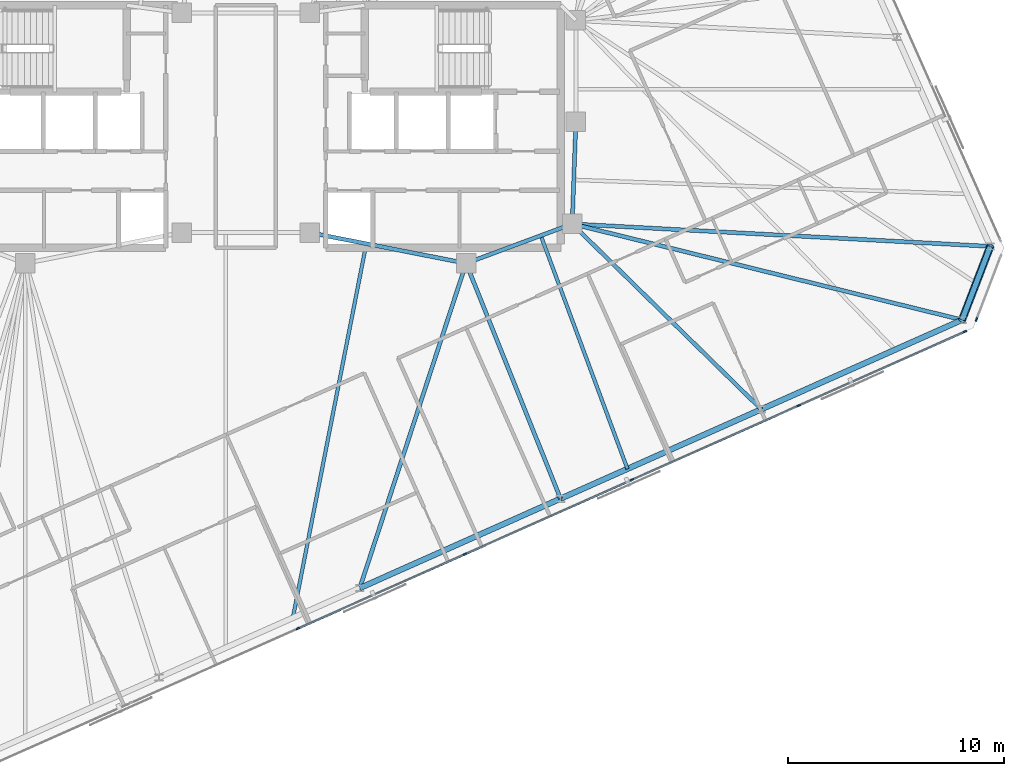
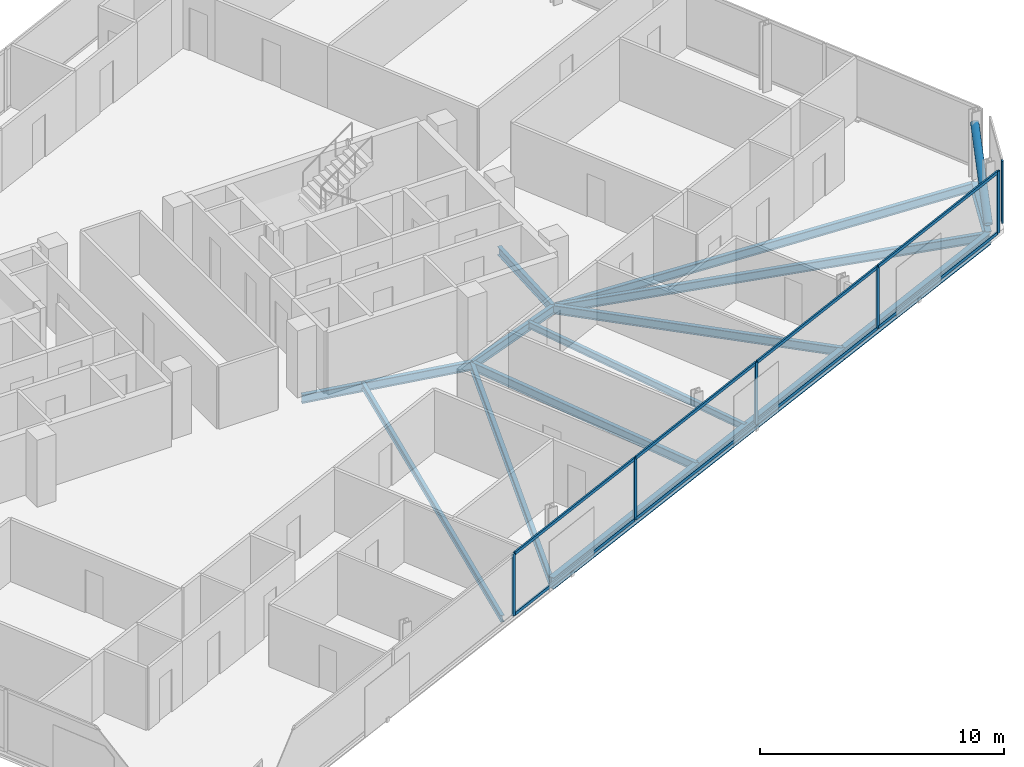
# One storey, part 7 of 18: 15 members, 14 beams, 2 elements without a shape of their own.
"""IFC4 building model written with IfcOpenShell, lengths in metres."""

import ifcopenshell
import ifcopenshell.guid

model = None  # the IFC model being written
_history = None  # IfcOwnerHistory: only IFC2X3 demands one
_inside = {}  # id of a spatial element -> (the spatial element, [elements in it])
_under = {}  # id of a project, library or spatial element -> (it, [spatial elements below it])
_declared = {}  # id of a project -> (the project, [libraries it declares])
_typed = {}  # id of a type object -> (the type object, [elements of that type])
_made_of = {}  # id of a material, layer set ... -> (it, [elements and type objects made of it])


def new_model(schema):
    """Start an empty IFC model of exactly this schema.

    Asked for "IFC4X3", IfcOpenShell would pick the latest addendum, in which some entities
    have other attributes; the version numbers below select the first issue.
    IFC2X3 requires an IfcOwnerHistory on every rooted entity: one is made here for all.
    """
    global model, _history
    if schema == "IFC4X3":
        model = ifcopenshell.file(schema_version=(4, 3, 0, 0))
    else:
        model = ifcopenshell.file(schema=schema)
    _inside.clear()
    _under.clear()
    _declared.clear()
    _typed.clear()
    _made_of.clear()
    _history = None
    if model.schema == "IFC2X3":
        org = make("IfcOrganization", Name="unknown")
        user = make(
            "IfcPersonAndOrganization",
            ThePerson=make("IfcPerson", FamilyName="unknown"),
            TheOrganization=org,
        )
        app = make(
            "IfcApplication",
            ApplicationDeveloper=org,
            Version="unknown",
            ApplicationFullName="unknown",
            ApplicationIdentifier="unknown",
        )
        _history = make(
            "IfcOwnerHistory",
            OwningUser=user,
            OwningApplication=app,
            ChangeAction="ADDED",
            CreationDate=0,
        )
    return model


def make(cls, **values):
    """One entity of the class cls with the attributes given. An attribute that is None is left unset."""
    return model.create_entity(
        cls, **{name: value for name, value in values.items() if value is not None}
    )


def rooted(cls, **values):
    """An entity with a GlobalId (a new one), such as an element, a storey or a relation."""
    return make(cls, GlobalId=ifcopenshell.guid.new(), OwnerHistory=_history, **values)


def si_unit(unit_type, name, prefix=None):
    """IfcSIUnit, for example si_unit("LENGTHUNIT", "METRE", prefix="MILLI")."""
    return make("IfcSIUnit", UnitType=unit_type, Prefix=prefix, Name=name)


def assignment(units):
    """IfcUnitAssignment: the units of a project."""
    return None if units is None else make("IfcUnitAssignment", Units=units)


def point(xyz):
    """IfcCartesianPoint."""
    return None if xyz is None else make("IfcCartesianPoint", Coordinates=xyz)


def direction(xyz):
    """IfcDirection."""
    return None if xyz is None else make("IfcDirection", DirectionRatios=xyz)


def frame(location, z_axis=None, x_axis=None):
    """IfcAxis2Placement3D, a coordinate frame: its origin and axes. An axis left out is left unset."""
    return make(
        "IfcAxis2Placement3D",
        Location=point(location),
        Axis=direction(z_axis),
        RefDirection=direction(x_axis),
    )


def frame_2d(location, x_axis=None):
    """IfcAxis2Placement2D, a coordinate frame in the plane: its origin and x axis."""
    return make(
        "IfcAxis2Placement2D", Location=point(location), RefDirection=direction(x_axis)
    )


def origin():
    """The frame at (0, 0, 0) with its axes left unset."""
    return frame((0.0, 0.0, 0.0))


def origin_2d():
    """The frame at (0, 0) in the plane with its x axis left unset."""
    return frame_2d((0.0, 0.0))


def place(relative_to, where):
    """IfcLocalPlacement: puts the frame where relative to a parent placement (None: the world)."""
    return make(
        "IfcLocalPlacement", PlacementRelTo=relative_to, RelativePlacement=where
    )


def context(
    kind, dimensions, precision=None, world=None, true_north=None, identifier=None
):
    """IfcGeometricRepresentationContext, for example the 3D "Model" context."""
    return make(
        "IfcGeometricRepresentationContext",
        ContextIdentifier=identifier,
        ContextType=kind,
        CoordinateSpaceDimension=dimensions,
        Precision=precision,
        WorldCoordinateSystem=world,
        TrueNorth=true_north,
    )


def subcontext(parent, identifier, kind, view, scale=None):
    """IfcGeometricRepresentationSubContext, for example "Body" below "Model"."""
    return make(
        "IfcGeometricRepresentationSubContext",
        ContextIdentifier=identifier,
        ContextType=kind,
        ParentContext=parent,
        TargetScale=scale,
        TargetView=view,
    )


def project(units=None, contexts=None):
    """IfcProject with its units and contexts."""
    return rooted(
        "IfcProject",
        Name="project",
        RepresentationContexts=contexts,
        UnitsInContext=assignment(units),
    )


def spatial(cls, under=None, at=None, **own):
    """A site, building, storey or space (cls), placed at a placement, below another one or the project."""
    s = rooted(cls, ObjectPlacement=at, **own)
    if under is not None:
        _under.setdefault(under.id(), (under, []))[1].append(s)
    return s


def profile(cls, at=None, kind="AREA", **sizes):
    """A parametric profile (cls). Its sizes go by their IFC names, for example OverallWidth=200.0."""
    return make(cls, ProfileType=kind, Position=at, **sizes)


def rectangle(**sizes):
    """IfcRectangleProfileDef."""
    return profile("IfcRectangleProfileDef", **sizes)


def hollow_circle(**sizes):
    """IfcCircleHollowProfileDef."""
    return profile("IfcCircleHollowProfileDef", **sizes)


def i_section(**sizes):
    """IfcIShapeProfileDef."""
    return profile("IfcIShapeProfileDef", **sizes)


def extrude(swept, where, along, depth):
    """IfcExtrudedAreaSolid: the profile swept, set in the frame where, extruded along a direction by depth."""
    return make(
        "IfcExtrudedAreaSolid",
        SweptArea=swept,
        Position=where,
        ExtrudedDirection=direction(along),
        Depth=depth,
    )


def shape(context_of_items, identifier, shape_type, items):
    """IfcShapeRepresentation: the items that make up one representation, for example the "Body"."""
    return make(
        "IfcShapeRepresentation",
        ContextOfItems=context_of_items,
        RepresentationIdentifier=identifier,
        RepresentationType=shape_type,
        Items=items,
    )


def material(Name=None, Category=None):
    """IfcMaterial."""
    return make("IfcMaterial", Name=Name, Category=Category)


def material_profile(
    of_material, cross_section, Name=None, Category=None, Priority=None
):
    """IfcMaterialProfile: a cross section and its material."""
    return make(
        "IfcMaterialProfile",
        Name=Name,
        Material=of_material,
        Profile=cross_section,
        Priority=Priority,
        Category=Category,
    )


def profile_set(profiles, Name=None, composite=None):
    """IfcMaterialProfileSet."""
    return make(
        "IfcMaterialProfileSet",
        Name=Name,
        MaterialProfiles=profiles,
        CompositeProfile=composite,
    )


def made_of(thing, what):
    """Note that an element or type object is made of a material, layer set ...; save() writes the relation."""
    if what is not None:
        _made_of.setdefault(what.id(), (what, []))[1].append(thing)
    return thing


def type_object(cls, material=None, **own):
    """A type object (cls), such as IfcWallType, which elements share."""
    return made_of(rooted(cls, **own), material)


def element(
    cls,
    number,
    at=None,
    inside=None,
    cuts=None,
    type_object=None,
    material=None,
    context=None,
    identifier="Body",
    shape_type=None,
    held_by="IfcProductDefinitionShape",
    body=None,
    shapes=None,
    **own,
):
    """One element of the class cls, such as IfcWall. Its Tag is "e" and its number.

    at: its placement. inside: the storey or other place that contains it. cuts: it is an
    opening in that element (IfcRelVoidsElement). A single representation is given by context,
    identifier, shape_type and body (its items); several are given by shapes. held_by: the class
    of the entity that holds the representations. save() writes the other relations.
    """
    e = rooted(cls, Tag="e%d" % number, ObjectPlacement=at, **own)
    if body is not None:
        shapes = [shape(context, identifier, shape_type, body)]
    if shapes is not None:
        e.Representation = make(held_by, Representations=shapes)
    if inside is not None:
        _inside.setdefault(inside.id(), (inside, []))[1].append(e)
    if cuts is not None:
        rooted(
            "IfcRelVoidsElement", RelatingBuildingElement=cuts, RelatedOpeningElement=e
        )
    if type_object is not None:
        _typed.setdefault(type_object.id(), (type_object, []))[1].append(e)
    return made_of(e, material)


def aggregate(whole, parts):
    """IfcRelAggregates: a whole, such as a stair, and the parts it consists of."""
    return rooted("IfcRelAggregates", RelatingObject=whole, RelatedObjects=parts)


def save(model, path):
    """Write the relations noted so far, then the file.

    IfcRelAggregates (storeys below a building ...), IfcRelContainedInSpatialStructure (elements
    in a storey), IfcRelDefinesByType, IfcRelAssociatesMaterial and IfcRelDeclares: one each for
    every whole, place, type object, material and project.
    """
    for whole, parts in _under.values():
        aggregate(whole, parts)
    for where, things in _inside.values():
        rooted(
            "IfcRelContainedInSpatialStructure",
            RelatedElements=things,
            RelatingStructure=where,
        )
    for kind, things in _typed.values():
        rooted("IfcRelDefinesByType", RelatedObjects=things, RelatingType=kind)
    for what, things in _made_of.values():
        rooted("IfcRelAssociatesMaterial", RelatedObjects=things, RelatingMaterial=what)
    for by, libraries in _declared.values():
        rooted("IfcRelDeclares", RelatingContext=by, RelatedDefinitions=libraries)
    model.write(path)


model = new_model("IFC4")

# Units and contexts
model_context = context("Model", 3, precision=1e-05, world=origin(), true_north=direction((0.0, 1.0)))
body_context = subcontext(model_context, "Body", "Model", "MODEL_VIEW")
ifc_project = project(units=[si_unit("LENGTHUNIT", "METRE"), si_unit("AREAUNIT", "SQUARE_METRE"), si_unit("VOLUMEUNIT", "CUBIC_METRE"), si_unit("PLANEANGLEUNIT", "RADIAN"), si_unit("MASSUNIT", "GRAM", prefix="KILO")], contexts=[model_context])

# Site, building, storey
site_placement = place(None, origin())
site = spatial("IfcSite", under=ifc_project, at=site_placement, CompositionType="ELEMENT")
building_placement = place(site_placement, origin())
building = spatial("IfcBuilding", under=site, at=building_placement, Name="Menara Jurai Vektor", CompositionType="ELEMENT")
storey_placement = place(building_placement, frame((0.0, 0.0, 272.25)))
storey = spatial("IfcBuildingStorey", under=building, at=storey_placement, Name="L73", CompositionType="ELEMENT", Elevation=272.25)

# Curtain wall, members
ifc_material_1 = material(Name="Anodised Pale Aluminium & Low-E Double Glazing", Category="aluminium")
curtain_wall_type = type_object("IfcCurtainWallType", Name="CW-BLK5", PredefinedType="NOTDEFINED", material=ifc_material_1)
curtain_wall_1_placement = place(storey_placement, origin())
curtain_wall_1 = element("IfcCurtainWall", 1, at=curtain_wall_1_placement, inside=storey, type_object=curtain_wall_type, Name="Unitised Curtain Wall L73 F01", PredefinedType="NOTDEFINED")
ifc_material_2 = material(Name="Anodised Pale Aluminium Mullion", Category="aluminium")
ifc_material_profile_1 = material_profile(ifc_material_2, rectangle(XDim=0.074951171875, YDim=0.175048828125, at=origin_2d()), Name="ALU MUL 75x175")
ifc_profile_set_1 = profile_set([ifc_material_profile_1], Name="Anodised Pale Aluminium Mullion")
member_type_1 = type_object("IfcMemberType", Name="CW-BLK5-MUL", PredefinedType="MULLION", material=ifc_profile_set_1)
member_1_placement = place(storey_placement, frame((2.417724609375, -23.190185546875, 0.0), z_axis=(0.0, 0.0, 1.0), x_axis=(-0.406735498684, 0.913545967158, 0.0)))
member_1 = element("IfcMember", 2, at=member_1_placement, type_object=member_type_1, Name="CW-05 mullion 3", PredefinedType="MULLION", context=body_context, shape_type="SweptSolid", body=[
    extrude(rectangle(XDim=0.074951171875, YDim=0.175048828125, at=origin_2d()), origin(), (0.0, 0.0, 1.0), 3.10009765625),
])
member_2_placement = place(storey_placement, frame((10.1279296875, -19.75732421875, 0.0), z_axis=(0.0, 0.0, 1.0), x_axis=(-0.406735498684, 0.913545967158, 0.0)))
member_2 = element("IfcMember", 3, at=member_2_placement, type_object=member_type_1, Name="CW-05 mullion 4", PredefinedType="MULLION", context=body_context, shape_type="SweptSolid", body=[
    extrude(rectangle(XDim=0.074951171875, YDim=0.175048828125, at=origin_2d()), origin(), (0.0, 0.0, 1.0), 3.10009765625),
])
member_3_placement = place(storey_placement, frame((17.83837890625, -16.324462890625, 0.0), z_axis=(0.0, 0.0, 1.0), x_axis=(-0.406735498684, 0.913545967158, 0.0)))
member_3 = element("IfcMember", 4, at=member_3_placement, type_object=member_type_1, Name="CW-05 mullion 5", PredefinedType="MULLION", context=body_context, shape_type="SweptSolid", body=[
    extrude(rectangle(XDim=0.074951171875, YDim=0.175048828125, at=origin_2d()), origin(), (0.0, 0.0, 1.0), 3.10009765625),
])
member_4_placement = place(storey_placement, frame((25.548583984375, -12.8916015625, 0.0), z_axis=(0.0, 0.0, 1.0), x_axis=(-0.406735498684, 0.913545967158, 0.0)))
member_4 = element("IfcMember", 5, at=member_4_placement, type_object=member_type_1, Name="CW-05 mullion 6", PredefinedType="MULLION", context=body_context, shape_type="SweptSolid", body=[
    extrude(rectangle(XDim=0.074951171875, YDim=0.175048828125, at=origin_2d()), origin(), (0.0, 0.0, 1.0), 3.10009765625),
])
member_5_placement = place(storey_placement, frame((33.224853515625, -9.47412109375, 0.0), z_axis=(0.0, 0.0, 1.0), x_axis=(-0.406735498684, 0.913545967158, 0.0)))
member_5 = element("IfcMember", 6, at=member_5_placement, type_object=member_type_1, Name="CW-05 mullion 7", PredefinedType="MULLION", context=body_context, shape_type="SweptSolid", body=[
    extrude(rectangle(XDim=0.074951171875, YDim=0.175048828125, at=origin_2d()), origin(), (0.0, 0.0, 1.0), 3.10009765625),
])

# Curtain wall, member
curtain_wall_2_placement = place(storey_placement, origin())
curtain_wall_2 = element("IfcCurtainWall", 7, at=curtain_wall_2_placement, inside=storey, type_object=curtain_wall_type, Name="Unitised Curtain Wall L73 F02", PredefinedType="NOTDEFINED")
member_6_placement = place(storey_placement, frame((33.755859375, -8.914306640625, 0.0), z_axis=(0.0, 0.0, 1.0), x_axis=(-0.933578193639, 0.358373766287, 0.0)))
member_6 = element("IfcMember", 8, at=member_6_placement, type_object=member_type_1, Name="CW-05 mullion 1", PredefinedType="MULLION", context=body_context, shape_type="SweptSolid", body=[
    extrude(rectangle(XDim=0.074951171875, YDim=0.175048828125, at=origin_2d()), origin(), (0.0, 0.0, 1.0), 3.10009765625),
])
aggregate(curtain_wall_2, [member_6])

# Member
ifc_material_3 = material(Name="Anodised Pale Aluminium Transom", Category="aluminium")
ifc_material_profile_2 = material_profile(ifc_material_3, rectangle(XDim=0.074951171875, YDim=0.155029296875, at=origin_2d()), Name="ALU TRN 75x155")
ifc_profile_set_2 = profile_set([ifc_material_profile_2], Name="Anodised Pale Aluminium Transom")
member_type_2 = type_object("IfcMemberType", Name="CW-BLK5-TRN", PredefinedType="USERDEFINED", material=ifc_profile_set_2)
member_7_placement = place(storey_placement, frame((2.451904296875, -23.175048828125, 0.03759765625), z_axis=(0.913546575494, 0.406734132331, 0.0), x_axis=(-0.406734132331, 0.913546575494, 0.0)))
member_7 = element("IfcMember", 9, at=member_7_placement, type_object=member_type_2, Name="CW-05 transom 3.1", ObjectType="TRANSOM", PredefinedType="USERDEFINED", context=body_context, shape_type="SweptSolid", body=[
    extrude(rectangle(XDim=0.074951171875, YDim=0.155029296875, at=origin_2d()), origin(), (0.0, 0.0, 1.0), 8.364990234375),
])

member_8_placement = place(storey_placement, frame((2.451904296875, -23.175048828125, 3.0625), z_axis=(0.913546575494, 0.406734132331, 0.0), x_axis=(-0.406734132331, 0.913546575494, 0.0)))
member_8 = element("IfcMember", 10, at=member_8_placement, type_object=member_type_2, Name="CW-05 transom 3.2", ObjectType="TRANSOM", PredefinedType="USERDEFINED", context=body_context, shape_type="SweptSolid", body=[
    extrude(rectangle(XDim=0.074951171875, YDim=0.155029296875, at=origin_2d()), origin(), (0.0, 0.0, 1.0), 8.364990234375),
])

member_9_placement = place(storey_placement, frame((10.162353515625, -19.7421875, 0.03759765625), z_axis=(0.913541747007, 0.406744977198, 0.0), x_axis=(-0.406744977198, 0.913541747007, 0.0)))
member_9 = element("IfcMember", 11, at=member_9_placement, type_object=member_type_2, Name="CW-05 transom 4.1", ObjectType="TRANSOM", PredefinedType="USERDEFINED", context=body_context, shape_type="SweptSolid", body=[
    extrude(rectangle(XDim=0.074951171875, YDim=0.155029296875, at=origin_2d()), origin(), (0.0, 0.0, 1.0), 8.36474609375),
])

member_10_placement = place(storey_placement, frame((10.162353515625, -19.7421875, 3.0625), z_axis=(0.913541747007, 0.406744977198, 0.0), x_axis=(-0.406744977198, 0.913541747007, 0.0)))
member_10 = element("IfcMember", 12, at=member_10_placement, type_object=member_type_2, Name="CW-05 transom 4.2", ObjectType="TRANSOM", PredefinedType="USERDEFINED", context=body_context, shape_type="SweptSolid", body=[
    extrude(rectangle(XDim=0.074951171875, YDim=0.155029296875, at=origin_2d()), origin(), (0.0, 0.0, 1.0), 8.36474609375),
])

member_11_placement = place(storey_placement, frame((17.87255859375, -16.309326171875, 0.03759765625), z_axis=(0.913546575494, 0.406734132331, 0.0), x_axis=(-0.406734132331, 0.913546575494, 0.0)))
member_11 = element("IfcMember", 13, at=member_11_placement, type_object=member_type_2, Name="CW-05 transom 5.1", ObjectType="TRANSOM", PredefinedType="USERDEFINED", context=body_context, shape_type="SweptSolid", body=[
    extrude(rectangle(XDim=0.074951171875, YDim=0.155029296875, at=origin_2d()), origin(), (0.0, 0.0, 1.0), 8.364990234375),
])

member_12_placement = place(storey_placement, frame((17.87255859375, -16.309326171875, 3.0625), z_axis=(0.913546575494, 0.406734132331, 0.0), x_axis=(-0.406734132331, 0.913546575494, 0.0)))
member_12 = element("IfcMember", 14, at=member_12_placement, type_object=member_type_2, Name="CW-05 transom 5.2", ObjectType="TRANSOM", PredefinedType="USERDEFINED", context=body_context, shape_type="SweptSolid", body=[
    extrude(rectangle(XDim=0.074951171875, YDim=0.155029296875, at=origin_2d()), origin(), (0.0, 0.0, 1.0), 8.364990234375),
])

member_13_placement = place(storey_placement, frame((25.5830078125, -12.87646484375, 0.03759765625), z_axis=(0.91353811338, 0.406753138159, 0.0), x_axis=(-0.406753138159, 0.91353811338, 0.0)))
member_13 = element("IfcMember", 15, at=member_13_placement, type_object=member_type_2, Name="CW-05 transom 6.1", ObjectType="TRANSOM", PredefinedType="USERDEFINED", context=body_context, shape_type="SweptSolid", body=[
    extrude(rectangle(XDim=0.074951171875, YDim=0.155029296875, at=origin_2d()), origin(), (0.0, 0.0, 1.0), 8.327392578125),
])

member_14_placement = place(storey_placement, frame((25.5830078125, -12.87646484375, 3.0625), z_axis=(0.91353811338, 0.406753138159, 0.0), x_axis=(-0.406753138159, 0.91353811338, 0.0)))
member_14 = element("IfcMember", 16, at=member_14_placement, type_object=member_type_2, Name="CW-05 transom 6.2", ObjectType="TRANSOM", PredefinedType="USERDEFINED", context=body_context, shape_type="SweptSolid", body=[
    extrude(rectangle(XDim=0.074951171875, YDim=0.155029296875, at=origin_2d()), origin(), (0.0, 0.0, 1.0), 8.327392578125),
])

aggregate(curtain_wall_1, [member_1, member_2, member_3, member_4, member_5, member_7, member_8, member_9, member_10, member_11, member_12, member_13, member_14])

# Beams
ifc_material_4 = material(Name="Steel S355", Category="steel")
ifc_material_profile_3 = material_profile(ifc_material_4, i_section(OverallWidth=0.18505859375, OverallDepth=0.429931640625, WebThickness=0.010986328125, FlangeThickness=0.01806640625, at=origin_2d()), Name="PG 430x185x76")
ifc_profile_set_3 = profile_set([ifc_material_profile_3], Name="Steel S355")
beam_type_1 = type_object("IfcBeamType", Name="STR-BM-430", PredefinedType="BEAM", material=ifc_profile_set_3)
beam_1_placement = place(storey_placement, frame((15.080078125, -4.5, -0.43994140625), z_axis=(0.035977314146, 0.999352606874, 0.0), x_axis=(-0.999352606874, 0.035977314146, 0.0)))
element("IfcBeam", 17, at=beam_1_placement, inside=storey, type_object=beam_type_1, Name="Core Ring Header Girder L73-CHE-E2", PredefinedType="BEAM", context=body_context, shape_type="SweptSolid", body=[
    extrude(i_section(OverallWidth=0.18505859375, OverallDepth=0.429931640625, WebThickness=0.010986328125, FlangeThickness=0.01806640625, at=origin_2d()), origin(), (0.0, 0.0, 1.0), 4.72314453125),
])
beam_2_placement = place(storey_placement, frame((10.179931640625, -6.320068359375, -0.43994140625), z_axis=(0.937424400887, 0.348188874925, 0.0), x_axis=(-0.348188874925, 0.937424400887, 0.0)))
element("IfcBeam", 18, at=beam_2_placement, inside=storey, type_object=beam_type_1, Name="Core Ring Header Girder L73-CHE-S1", PredefinedType="BEAM", context=body_context, shape_type="SweptSolid", body=[
    extrude(i_section(OverallWidth=0.18505859375, OverallDepth=0.429931640625, WebThickness=0.010986328125, FlangeThickness=0.01806640625, at=origin_2d()), origin(), (0.0, 0.0, 1.0), 5.227294921875),
])
beam_3_placement = place(storey_placement, frame((2.949951171875, -4.89990234375, -0.43994140625), z_axis=(0.981249044334, -0.192744164614, 0.0), x_axis=(0.192744164614, 0.981249044334, 0.0)))
element("IfcBeam", 19, at=beam_3_placement, inside=storey, type_object=beam_type_1, Name="Core Ring Header Girder L73-CHE-S2", PredefinedType="BEAM", context=body_context, shape_type="SweptSolid", body=[
    extrude(i_section(OverallWidth=0.18505859375, OverallDepth=0.429931640625, WebThickness=0.010986328125, FlangeThickness=0.01806640625, at=origin_2d()), origin(), (0.0, 0.0, 1.0), 7.3681640625),
])
beam_4_placement = place(storey_placement, frame((5.267578125, -21.3193359375, -0.43994140625), z_axis=(0.311239486704, 0.950331511587, 0.0), x_axis=(-0.950331511587, 0.311239486704, 0.0)))
element("IfcBeam", 20, at=beam_4_placement, inside=storey, type_object=beam_type_1, Name="Radial Floor Girder L73-S3", PredefinedType="BEAM", context=body_context, shape_type="SweptSolid", body=[
    extrude(i_section(OverallWidth=0.18505859375, OverallDepth=0.429931640625, WebThickness=0.010986328125, FlangeThickness=0.01806640625, at=origin_2d()), origin(), (0.0, 0.0, 1.0), 15.783203125),
])
beam_5_placement = place(storey_placement, frame((14.541015625, -17.1904296875, -0.43994140625), z_axis=(-0.372342852726, 0.928095253745, 0.0), x_axis=(-0.928095253745, -0.372342852726, 0.0)))
element("IfcBeam", 21, at=beam_5_placement, inside=storey, type_object=beam_type_1, Name="Radial Floor Girder L73-S4", PredefinedType="BEAM", context=body_context, shape_type="SweptSolid", body=[
    extrude(i_section(OverallWidth=0.18505859375, OverallDepth=0.429931640625, WebThickness=0.010986328125, FlangeThickness=0.01806640625, at=origin_2d()), origin(), (0.0, 0.0, 1.0), 11.712646484375),
])
beam_6_placement = place(storey_placement, frame((23.814697265625, -13.061767578125, -0.43994140625), z_axis=(-0.714137598149, 0.70000535063, 0.0), x_axis=(-0.70000535063, -0.714137598149, 0.0)))
element("IfcBeam", 22, at=beam_6_placement, inside=storey, type_object=beam_type_1, Name="Radial Floor Girder L73-S5", PredefinedType="BEAM", context=body_context, shape_type="SweptSolid", body=[
    extrude(i_section(OverallWidth=0.18505859375, OverallDepth=0.429931640625, WebThickness=0.010986328125, FlangeThickness=0.01806640625, at=origin_2d()), origin(), (0.0, 0.0, 1.0), 12.23095703125),
])
beam_7_placement = place(storey_placement, frame((33.088134765625, -8.932861328125, -0.43994140625), z_axis=(-0.971013515776, 0.239024584888, 0.0), x_axis=(-0.239024584888, -0.971013515776, 0.0)))
element("IfcBeam", 23, at=beam_7_placement, inside=storey, type_object=beam_type_1, Name="Radial Floor Girder L73-S6", PredefinedType="BEAM", context=body_context, shape_type="SweptSolid", body=[
    extrude(i_section(OverallWidth=0.18505859375, OverallDepth=0.429931640625, WebThickness=0.010986328125, FlangeThickness=0.01806640625, at=origin_2d()), origin(), (0.0, 0.0, 1.0), 18.545654296875),
])
beam_8_placement = place(storey_placement, frame((34.3916015625, -5.536865234375, -0.43994140625), z_axis=(-0.998561718759, 0.053614306189, 0.0), x_axis=(-0.053614306189, -0.998561718759, 0.0)))
element("IfcBeam", 24, at=beam_8_placement, inside=storey, type_object=beam_type_1, Name="Radial Floor Girder L73-E1", PredefinedType="BEAM", context=body_context, shape_type="SweptSolid", body=[
    extrude(i_section(OverallWidth=0.18505859375, OverallDepth=0.429931640625, WebThickness=0.010986328125, FlangeThickness=0.01806640625, at=origin_2d()), origin(), (0.0, 0.0, 1.0), 19.33935546875),
])

# Member
ifc_material_5 = material(Name="Steel S460", Category="steel")
ifc_material_profile_4 = material_profile(ifc_material_5, hollow_circle(Radius=0.177734375, WallThickness=0.01611328125, at=origin_2d()), Name="CHS 355.6x16")
ifc_profile_set_4 = profile_set([ifc_material_profile_4], Name="Steel S460")
member_type_3 = type_object("IfcMemberType", Name="STR-BR-356", PredefinedType="BRACE", material=ifc_profile_set_4)
member_15_placement = place(storey_placement, frame((33.088134765625, -8.932861328125, 0.14990234375), z_axis=(0.291519991903, 0.759513595687, 0.581511128258), x_axis=(-0.933592747566, 0.358335850414, 0.0)))
element("IfcMember", 25, at=member_15_placement, inside=storey, type_object=member_type_3, Name="Exoskeleton Corner Brace L73-1", PredefinedType="BRACE", context=body_context, shape_type="SweptSolid", body=[
    extrude(hollow_circle(Radius=0.177734375, WallThickness=0.01611328125, at=origin_2d()), origin(), (0.0, 0.0, 1.0), 4.47119140625),
])

# Beams
ifc_material_profile_5 = material_profile(ifc_material_4, i_section(OverallWidth=0.1650390625, OverallDepth=0.330078125, WebThickness=0.009033203125, FlangeThickness=0.013916015625, at=origin_2d()), Name="PG 330x165x46")
ifc_profile_set_5 = profile_set([ifc_material_profile_5], Name="Steel S355")
beam_type_2 = type_object("IfcBeamType", Name="STR-JS-330", PredefinedType="JOIST", material=ifc_profile_set_5)
beam_9_placement = place(storey_placement, frame((2.176513671875, -22.695556640625, -0.389892578125), z_axis=(0.192710503651, 0.981255655669, 0.0), x_axis=(-0.981255655669, 0.192710503651, 0.0)))
element("IfcBeam", 26, at=beam_9_placement, inside=storey, type_object=beam_type_2, Name="Radial Secondary Floor Joist L73-JS04", PredefinedType="JOIST", context=body_context, shape_type="SweptSolid", body=[
    extrude(i_section(OverallWidth=0.1650390625, OverallDepth=0.330078125, WebThickness=0.009033203125, FlangeThickness=0.013916015625, at=origin_2d()), origin(), (0.0, 0.0, 1.0), 17.61083984375),
])
beam_10_placement = place(storey_placement, frame((17.632080078125, -15.814208984375, -0.389892578125), z_axis=(-0.348172664726, 0.937430421705, 0.0), x_axis=(-0.937430421705, -0.348172664726, 0.0)))
element("IfcBeam", 27, at=beam_10_placement, inside=storey, type_object=beam_type_2, Name="Radial Secondary Floor Joist L73-JS05", PredefinedType="JOIST", context=body_context, shape_type="SweptSolid", body=[
    extrude(i_section(OverallWidth=0.1650390625, OverallDepth=0.330078125, WebThickness=0.009033203125, FlangeThickness=0.013916015625, at=origin_2d()), origin(), (0.0, 0.0, 1.0), 11.494873046875),
])
ifc_material_profile_6 = material_profile(ifc_material_4, i_section(OverallWidth=0.260009765625, OverallDepth=0.570068359375, WebThickness=0.013916015625, FlangeThickness=0.02392578125, at=origin_2d()), Name="PG 570x260x145")
ifc_profile_set_6 = profile_set([ifc_material_profile_6], Name="Steel S355")
beam_type_3 = type_object("IfcBeamType", Name="STR-SP-570", PredefinedType="SPANDREL", material=ifc_profile_set_6)
for number, where, z_axis, x_axis, name in (
    (28, (5.267578125, -21.3193359375, -0.510009765625), (0.913541582548, 0.406745346568, 0.0), (-0.406745346568, 0.913541582548, 0.0), "Exoskeleton Spandrel Beam L73-03"),
    (29, (14.541015625, -17.1904296875, -0.510009765625), (0.913554497648, 0.406716338284, 0.0), (-0.406716338284, 0.913554497648, 0.0), "Exoskeleton Spandrel Beam L73-04"),
    (30, (23.814697265625, -13.061767578125, -0.510009765625), (0.913541582548, 0.406745346568, 0.0), (-0.406745346568, 0.913541582548, 0.0), "Exoskeleton Spandrel Beam L73-05"),
):
    element("IfcBeam", number, at=place(storey_placement, frame(where, z_axis=z_axis, x_axis=x_axis)), inside=storey, type_object=beam_type_3, Name=name, PredefinedType="SPANDREL", context=body_context, shape_type="SweptSolid", body=[
        extrude(i_section(OverallWidth=0.260009765625, OverallDepth=0.570068359375, WebThickness=0.013916015625, FlangeThickness=0.02392578125, at=origin_2d()), origin(), (0.0, 0.0, 1.0), 10.151123046875),
    ])
beam_11_placement = place(storey_placement, frame((33.088134765625, -8.932861328125, -0.510009765625), z_axis=(0.358335850414, 0.933592747566, 0.0), x_axis=(-0.933592747566, 0.358335850414, 0.0)))
element("IfcBeam", 31, at=beam_11_placement, inside=storey, type_object=beam_type_3, Name="Exoskeleton Spandrel Beam L73-06", PredefinedType="SPANDREL", context=body_context, shape_type="SweptSolid", body=[
    extrude(i_section(OverallWidth=0.260009765625, OverallDepth=0.570068359375, WebThickness=0.013916015625, FlangeThickness=0.02392578125, at=origin_2d()), origin(), (0.0, 0.0, 1.0), 3.637451171875),
])

save(model, "model.ifc")
